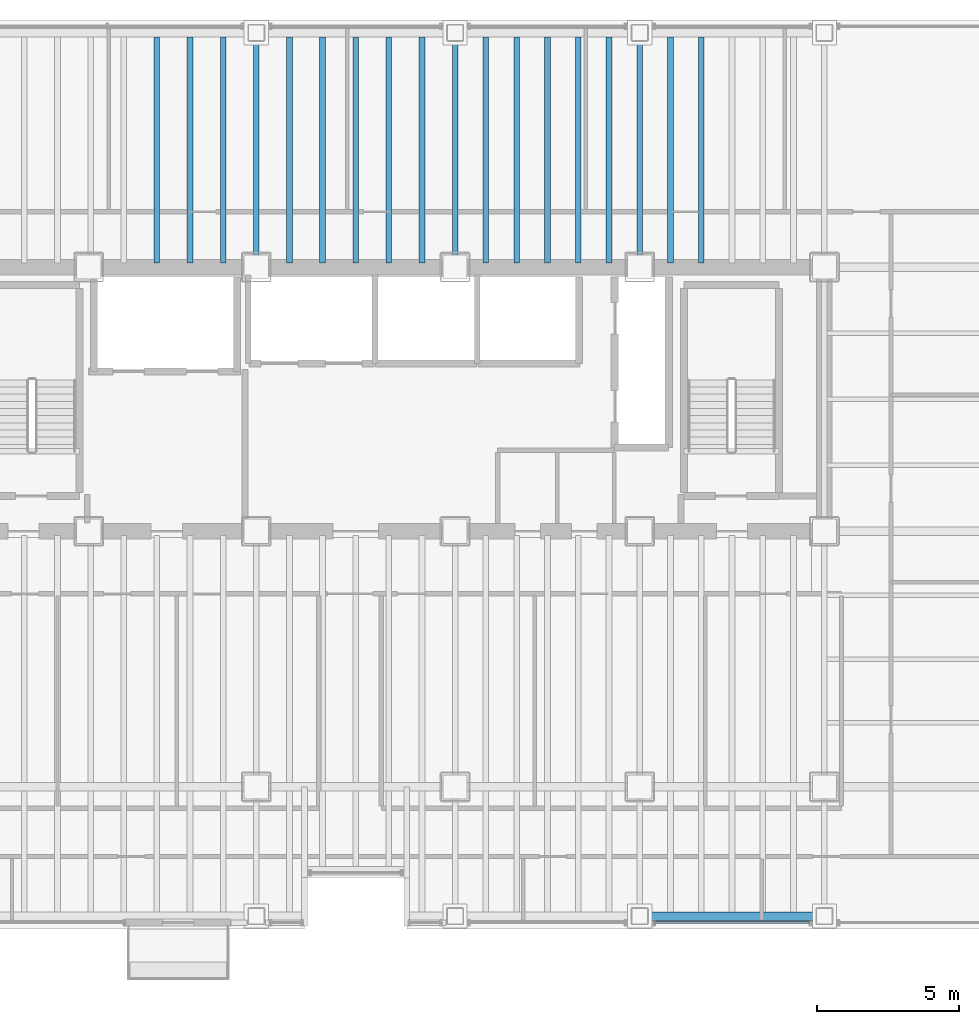
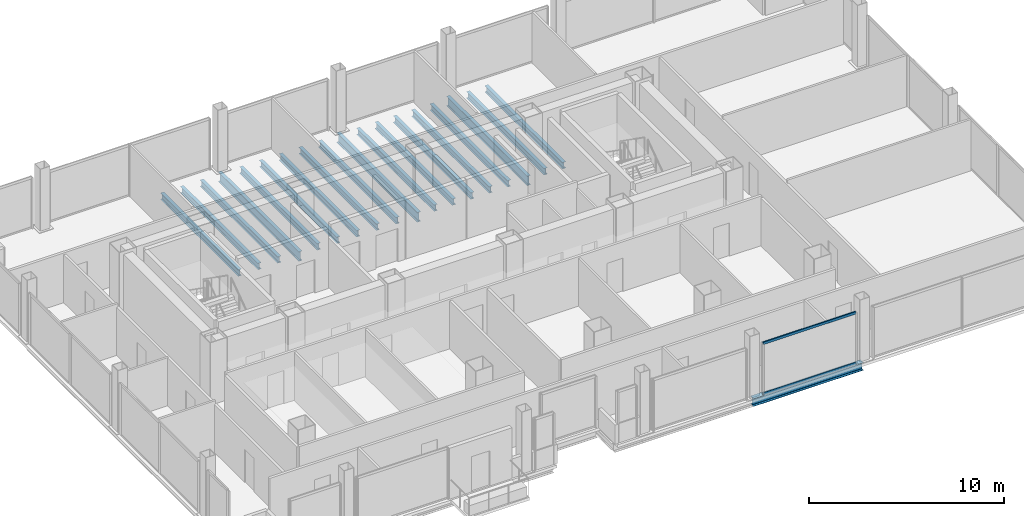
# One storey, part 7 of 20: 19 beams, 2 members, 1 element without a shape of its own.
"""IFC4 building model written with IfcOpenShell, lengths in metres."""

from ifc_helpers import new_model, si_unit, direction, frame, origin, origin_2d, place, context, subcontext, project, spatial, hollow_rectangle, i_section, extrude, material, material_profile, profile_set, type_object, element, aggregate, save


model = new_model("IFC4")

# Units and contexts
model_context = context("Model", 3, precision=1e-05, world=origin(), true_north=direction((0.0, 1.0)))
body_context = subcontext(model_context, "Body", "Model", "MODEL_VIEW")
ifc_project = project(units=[si_unit("LENGTHUNIT", "METRE"), si_unit("AREAUNIT", "SQUARE_METRE"), si_unit("VOLUMEUNIT", "CUBIC_METRE"), si_unit("PLANEANGLEUNIT", "RADIAN"), si_unit("MASSUNIT", "GRAM", prefix="KILO")], contexts=[model_context])

# Site, building, storey
site_placement = place(None, origin())
site = spatial("IfcSite", under=ifc_project, at=site_placement, CompositionType="ELEMENT")
building_placement = place(site_placement, origin())
building = spatial("IfcBuilding", under=site, at=building_placement, Name="Noeulbin Bourse Tower", CompositionType="ELEMENT")
storey_placement = place(building_placement, frame((0.0, 0.0, 61.60009765625)))
storey = spatial("IfcBuildingStorey", under=building, at=storey_placement, Name="L15", CompositionType="ELEMENT", Elevation=61.60009765625)

# Beams
ifc_material_1 = material(Name="Steel S355", Category="steel")
ifc_material_profile_1 = material_profile(ifc_material_1, i_section(OverallWidth=0.199951171875, OverallDepth=0.60009765625, WebThickness=0.010986328125, FlangeThickness=0.01708984375, FilletRadius=0.02197265625, at=origin_2d()), Name="H-600x200x11x17", Category="LoadBearing")
ifc_profile_set_1 = profile_set([ifc_material_profile_1], Name="Steel S355")
beam_type_1 = type_object("IfcBeamType", Name="BM-GRD-600", PredefinedType="USERDEFINED", material=ifc_profile_set_1)
for number, where, z_axis, x_axis, name in (
    (1, (24.0, 38.300048828125, -0.47998046875), (0.0, 1.0, 0.0), (-1.0, 0.0, 0.0), "Tower Primary Girder NS L15-2.4"),
    (2, (31.0, 38.300048828125, -0.47998046875), (0.0, 1.0, 0.0), (-1.0, 0.0, 0.0), "Tower Primary Girder NS L15-3.4"),
    (3, (37.5, 38.300048828125, -0.47998046875), (0.0, 1.0, 0.0), (-1.0, 0.0, 0.0), "Tower Primary Girder NS L15-4.4"),
):
    element("IfcBeam", number, at=place(storey_placement, frame(where, z_axis=z_axis, x_axis=x_axis)), inside=storey, type_object=beam_type_1, Name=name, ObjectType="GIRDER", PredefinedType="USERDEFINED", context=body_context, shape_type="SweptSolid", body=[
        extrude(i_section(OverallWidth=0.199951171875, OverallDepth=0.60009765625, WebThickness=0.010986328125, FlangeThickness=0.01708984375, FilletRadius=0.02197265625, at=origin_2d()), origin(), (0.0, 0.0, 1.0), 8.25),
    ])
ifc_material_profile_2 = material_profile(ifc_material_1, i_section(OverallWidth=0.199951171875, OverallDepth=0.39990234375, WebThickness=0.008056640625, FlangeThickness=0.012939453125, FilletRadius=0.01611328125, at=origin_2d()), Name="H-400x200x8x13", Category="LoadBearing")
ifc_profile_set_2 = profile_set([ifc_material_profile_2], Name="Steel S355")
beam_type_2 = type_object("IfcBeamType", Name="BM-SEC-400", PredefinedType="BEAM", material=ifc_profile_set_2)
for number, where, z_axis, x_axis, name in (
    (4, (20.5, 38.449951171875, -0.380126953125), (0.0, 1.0, 0.0), (-1.0, 0.0, 0.0), "Tower Composite Joist L15-18"),
    (5, (21.666748046875, 38.449951171875, -0.380126953125), (0.0, 1.0, 0.0), (-1.0, 0.0, 0.0), "Tower Composite Joist L15-21"),
    (6, (22.833251953125, 38.449951171875, -0.380126953125), (0.0, 1.0, 0.0), (-1.0, 0.0, 0.0), "Tower Composite Joist L15-24"),
    (7, (25.166748046875, 38.449951171875, -0.380126953125), (0.0, 1.0, 0.0), (-1.0, 0.0, 0.0), "Tower Composite Joist L15-27"),
    (8, (26.333251953125, 38.449951171875, -0.380126953125), (0.0, 1.0, 0.0), (-1.0, 0.0, 0.0), "Tower Composite Joist L15-30"),
    (9, (27.5, 38.449951171875, -0.380126953125), (0.0, 1.0, 0.0), (-1.0, 0.0, 0.0), "Tower Composite Joist L15-33"),
    (10, (28.666748046875, 38.449951171875, -0.380126953125), (0.0, 1.0, 0.0), (-1.0, 0.0, 0.0), "Tower Composite Joist L15-36"),
    (11, (29.833251953125, 38.449951171875, -0.380126953125), (0.0, 1.0, 0.0), (-1.0, 0.0, 0.0), "Tower Composite Joist L15-39"),
    (12, (32.083251953125, 38.449951171875, -0.380126953125), (0.0, 1.0, 0.0), (-1.0, 0.0, 0.0), "Tower Composite Joist L15-42"),
    (13, (33.166748046875, 38.449951171875, -0.380126953125), (0.0, 1.0, 0.0), (-1.0, 0.0, 0.0), "Tower Composite Joist L15-45"),
    (14, (34.25, 38.449951171875, -0.380126953125), (0.0, 1.0, 0.0), (-1.0, 0.0, 0.0), "Tower Composite Joist L15-48"),
    (15, (35.333251953125, 38.449951171875, -0.380126953125), (0.0, 1.0, 0.0), (-1.0, 0.0, 0.0), "Tower Composite Joist L15-51"),
    (16, (36.416748046875, 38.449951171875, -0.380126953125), (0.0, 1.0, 0.0), (-1.0, 0.0, 0.0), "Tower Composite Joist L15-54"),
    (17, (38.583251953125, 38.449951171875, -0.380126953125), (0.0, 1.0, 0.0), (-1.0, 0.0, 0.0), "Tower Composite Joist L15-57"),
    (18, (39.666748046875, 38.449951171875, -0.380126953125), (0.0, 1.0, 0.0), (-1.0, 0.0, 0.0), "Tower Composite Joist L15-60"),
):
    element("IfcBeam", number, at=place(storey_placement, frame(where, z_axis=z_axis, x_axis=x_axis)), inside=storey, type_object=beam_type_2, Name=name, PredefinedType="BEAM", context=body_context, shape_type="SweptSolid", body=[
        extrude(i_section(OverallWidth=0.199951171875, OverallDepth=0.39990234375, WebThickness=0.008056640625, FlangeThickness=0.012939453125, FilletRadius=0.01611328125, at=origin_2d()), origin(), (0.0, 0.0, 1.0), 7.949951171875),
    ])
ifc_material_profile_3 = material_profile(ifc_material_1, i_section(OverallWidth=0.300048828125, OverallDepth=0.488037109375, WebThickness=0.010986328125, FlangeThickness=0.01806640625, FilletRadius=0.02197265625, at=origin_2d()), Name="H-488x300x11x18", Category="LoadBearing")
ifc_profile_set_3 = profile_set([ifc_material_profile_3], Name="Steel S355")
beam_type_3 = type_object("IfcBeamType", Name="BM-SPN-488", PredefinedType="SPANDREL", material=ifc_profile_set_3)
beam_placement = place(storey_placement, frame((37.5, 15.449951171875, -0.424072265625), z_axis=(1.0, 0.0, 0.0), x_axis=(0.0, 1.0, 0.0)))
element("IfcBeam", 19, at=beam_placement, inside=storey, type_object=beam_type_3, Name="South Spandrel L15-4", PredefinedType="SPANDREL", context=body_context, shape_type="SweptSolid", body=[
    extrude(i_section(OverallWidth=0.300048828125, OverallDepth=0.488037109375, WebThickness=0.010986328125, FlangeThickness=0.01806640625, FilletRadius=0.02197265625, at=origin_2d()), origin(), (0.0, 0.0, 1.0), 6.5),
])

# Curtain wall, members
ifc_material_2 = material(Name="Dark Solar-Control Double Glazing", Category="glass")
curtain_wall_type = type_object("IfcCurtainWallType", Name="CW-SYS-2", PredefinedType="NOTDEFINED", material=ifc_material_2)
curtain_wall_placement = place(storey_placement, origin())
curtain_wall = element("IfcCurtainWall", 20, at=curtain_wall_placement, inside=storey, type_object=curtain_wall_type, Name="Unitised Curtain Wall CW-L15-S3-S3", PredefinedType="NOTDEFINED")
ifc_material_3 = material(Name="Anodised Aluminium 6063-T6", Category="aluminium")
ifc_material_profile_4 = material_profile(ifc_material_3, hollow_rectangle(XDim=0.074951171875, YDim=0.159912109375, WallThickness=0.0048828125, InnerFilletRadius=0.00244140625, OuterFilletRadius=0.0048828125, at=origin_2d()), Name="ALU-TRAN-75x160x5", Category="LoadBearing")
ifc_profile_set_4 = profile_set([ifc_material_profile_4], Name="Anodised Aluminium 6063-T6")
member_type = type_object("IfcMemberType", Name="CW-SYS-2-TRN", PredefinedType="USERDEFINED", material=ifc_profile_set_4)
member_1_placement = place(storey_placement, frame((38.010009765625, 15.219970703125, 0.010009765625), z_axis=(1.0, 0.0, 0.0), x_axis=(0.0, 1.0, 0.0)))
member_1 = element("IfcMember", 21, at=member_1_placement, type_object=member_type, Name="Curtain Wall Transom CW-L15-S3-S3-T00", ObjectType="TRANSOM", PredefinedType="USERDEFINED", context=body_context, shape_type="SweptSolid", body=[
    extrude(hollow_rectangle(XDim=0.074951171875, YDim=0.159912109375, WallThickness=0.0048828125, InnerFilletRadius=0.00244140625, OuterFilletRadius=0.0048828125, at=origin_2d()), origin(), (0.0, 0.0, 1.0), 5.47998046875),
])
member_2_placement = place(storey_placement, frame((38.010009765625, 15.219970703125, 3.169921875), z_axis=(1.0, 0.0, 0.0), x_axis=(0.0, 1.0, 0.0)))
member_2 = element("IfcMember", 22, at=member_2_placement, type_object=member_type, Name="Curtain Wall Transom CW-L15-S3-S3-T01", ObjectType="TRANSOM", PredefinedType="USERDEFINED", context=body_context, shape_type="SweptSolid", body=[
    extrude(hollow_rectangle(XDim=0.074951171875, YDim=0.159912109375, WallThickness=0.0048828125, InnerFilletRadius=0.00244140625, OuterFilletRadius=0.0048828125, at=origin_2d()), origin(), (0.0, 0.0, 1.0), 5.47998046875),
])
aggregate(curtain_wall, [member_1, member_2])

save(model, "model.ifc")
